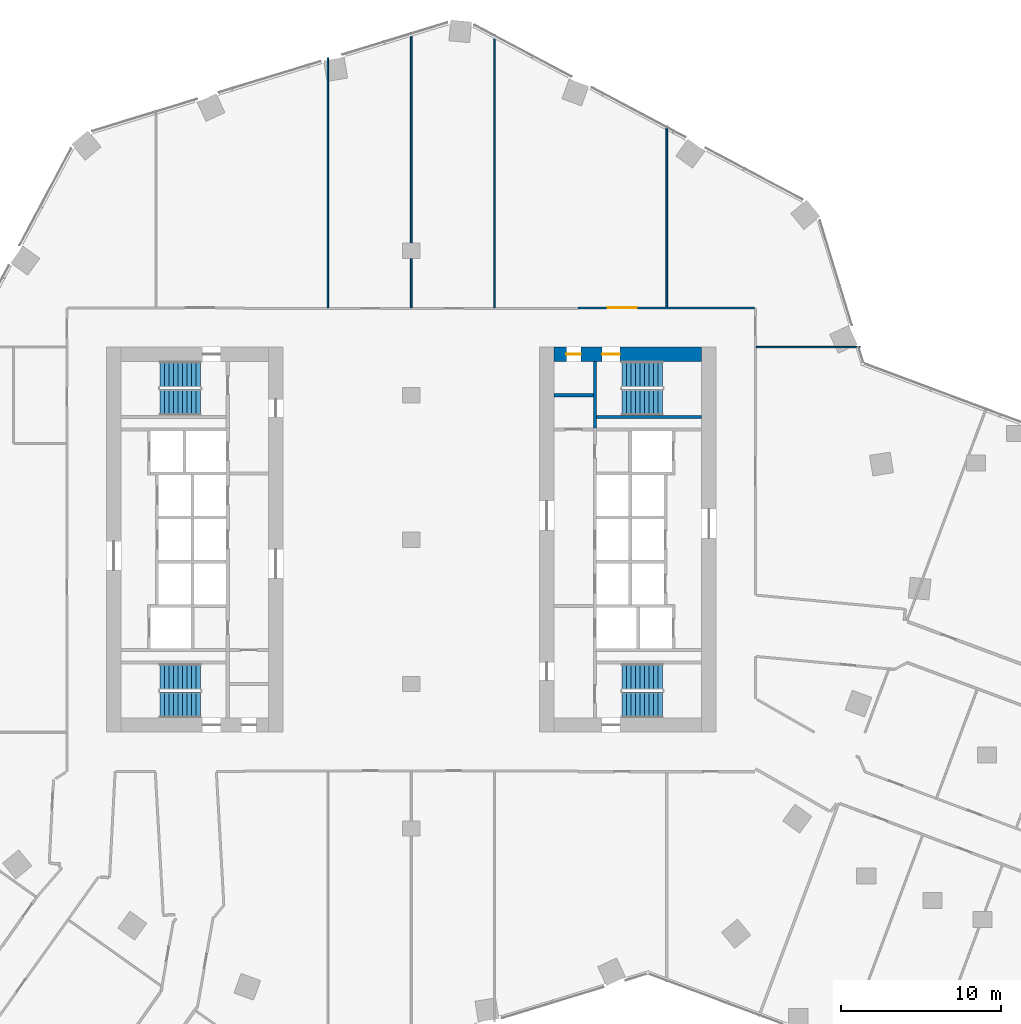
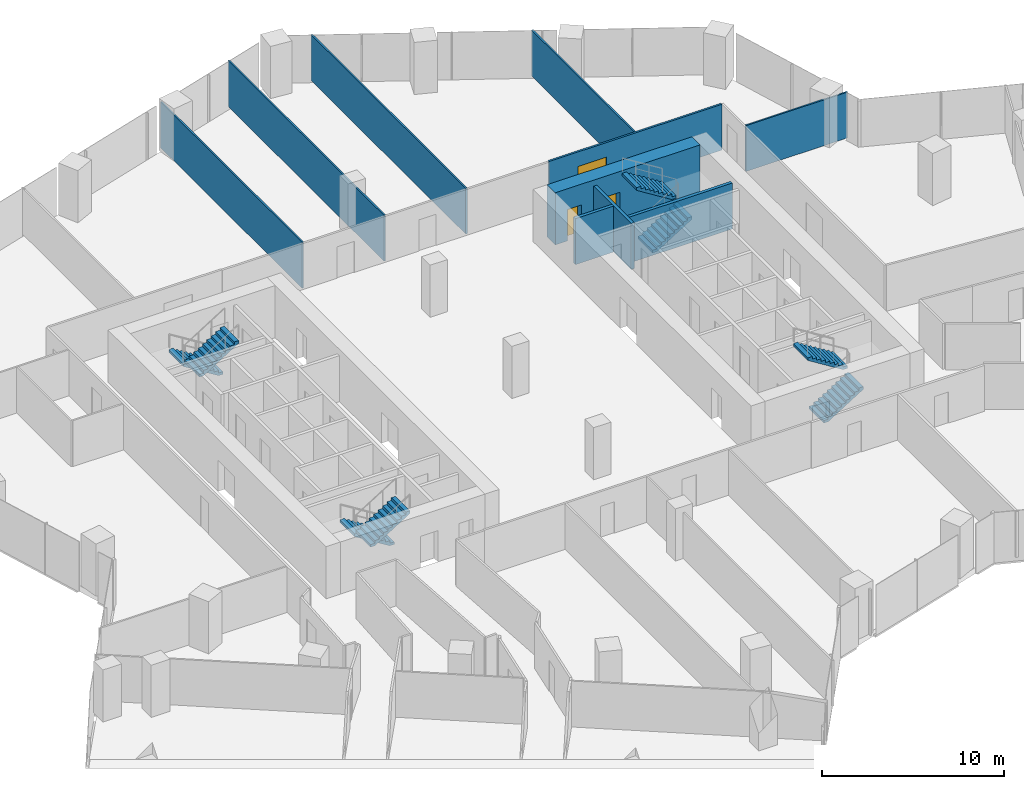
# One storey, part 28 of 31: 10 walls, 8 stair flights, 3 doors, 3 openings, 4 elements without a shape of their own.
"""IFC4 building model written with IfcOpenShell, lengths in metres."""

from ifc_helpers import new_model, si_unit, direction, frame, frame_2d, origin, place, context, subcontext, project, spatial, polyline, rectangle, outline, extrude, material, layer, layer_set, type_object, element, fill, aggregate, save


model = new_model("IFC4")

# Units and contexts
model_context = context("Model", 3, precision=1e-05, world=origin(), true_north=direction((0.0, 1.0)))
body_context = subcontext(model_context, "Body", "Model", "MODEL_VIEW")
ifc_project = project(units=[si_unit("LENGTHUNIT", "METRE"), si_unit("AREAUNIT", "SQUARE_METRE"), si_unit("VOLUMEUNIT", "CUBIC_METRE"), si_unit("PLANEANGLEUNIT", "RADIAN"), si_unit("MASSUNIT", "GRAM", prefix="KILO")], contexts=[model_context])

# Site, building, storey
site_placement = place(None, origin())
site = spatial("IfcSite", under=ifc_project, at=site_placement, CompositionType="ELEMENT")
building_placement = place(site_placement, origin())
building = spatial("IfcBuilding", under=site, at=building_placement, Name="Orlundy Tower", CompositionType="ELEMENT")
storey_placement = place(building_placement, frame((0.0, 0.0, 87.699951171875)))
storey = spatial("IfcBuildingStorey", under=building, at=storey_placement, Name="L21", CompositionType="ELEMENT", Elevation=87.699951171875)

# Wall, openings, doors
ifc_material_1 = material(Name="Concrete C80/95", Category="concrete")
ifc_layer_1 = layer(ifc_material_1, 0.89990234375)
ifc_layer_set_1 = layer_set([ifc_layer_1], Name="CORE WALL 900 C80/95")
wall_type_1 = type_object("IfcWallType", Name="CORE WALL 900 C80/95", PredefinedType="SHEAR", material=ifc_layer_set_1)
wall_1_placement = place(storey_placement, frame((8.89990234375, 11.550048828125, 0.0), z_axis=(0.0, 0.0, 1.0), x_axis=(1.0, 0.0, 0.0)))
wall_1 = element("IfcWall", 1, at=wall_1_placement, inside=storey, type_object=wall_type_1, Name="Core wall E-N L21", PredefinedType="SHEAR", context=body_context, shape_type="SweptSolid", body=[
    extrude(rectangle(XDim=9.2001953125, YDim=0.89990234375, at=frame_2d((4.60009765625, 0.0))), origin(), (0.0, 0.0, 1.0), 3.5),
])
opening_1_placement = place(wall_1_placement, frame((3.0, 0.0, 0.0)))
opening_1 = element("IfcOpeningElement", 2, at=opening_1_placement, cuts=wall_1, Name="Opening 17062", PredefinedType="OPENING", context=body_context, shape_type="SweptSolid", body=[
    extrude(rectangle(XDim=1.10009765625, YDim=2.10009765625, at=frame_2d((0.550048828125, 1.050048828125))), frame((0.0, 0.4599609375, 0.0), z_axis=(0.0, -1.0, 0.0), x_axis=(1.0, 0.0, 0.0)), (0.0, 0.0, 1.0), 0.919921875),
])
opening_2_placement = place(wall_1_placement, frame((0.77001953125, 0.0, 0.0)))
opening_2 = element("IfcOpeningElement", 3, at=opening_2_placement, cuts=wall_1, Name="Opening 17064", PredefinedType="OPENING", context=body_context, shape_type="SweptSolid", body=[
    extrude(rectangle(XDim=0.89990234375, YDim=2.10009765625, at=frame_2d((0.449951171875, 1.050048828125))), frame((0.0, 0.4599609375, 0.0), z_axis=(0.0, -1.0, 0.0), x_axis=(1.0, 0.0, 0.0)), (0.0, 0.0, 1.0), 0.919921875),
])
ifc_material_2 = material(Name="Timber door set", Category="wood")
door_type_1 = type_object("IfcDoorType", Name="Room Door 900x2100", OperationType="SINGLE_SWING_LEFT", PredefinedType="DOOR", material=ifc_material_2)
door_1_placement = place(opening_2_placement, origin())
door_1 = element("IfcDoor", 4, at=door_1_placement, inside=storey, type_object=door_type_1, Name="Store door 17064", OperationType="SINGLE_SWING_LEFT", OverallHeight=2.10009765625, OverallWidth=0.89990234375, PredefinedType="DOOR", context=body_context, shape_type="SweptSolid", body=[
    extrude(rectangle(XDim=0.89990234375, YDim=2.10009765625, at=frame_2d((0.449951171875, 1.050048828125))), frame((0.0, 0.02490234375, 0.0), z_axis=(0.0, -1.0, 0.0), x_axis=(1.0, 0.0, 0.0)), (0.0, 0.0, 1.0), 0.050048828125),
])
fill(opening_2, door_1)
ifc_material_3 = material(Name="Steel door set", Category="steel")
door_type_2 = type_object("IfcDoorType", Name="Stair Door 1100x2100", OperationType="SINGLE_SWING_LEFT", PredefinedType="DOOR", material=ifc_material_3)
door_2_placement = place(opening_1_placement, origin())
door_2 = element("IfcDoor", 5, at=door_2_placement, inside=storey, type_object=door_type_2, Name="Stair door 17062", OperationType="SINGLE_SWING_LEFT", OverallHeight=2.10009765625, OverallWidth=1.10009765625, PredefinedType="DOOR", context=body_context, shape_type="SweptSolid", body=[
    extrude(rectangle(XDim=1.10009765625, YDim=2.10009765625, at=frame_2d((0.550048828125, 1.050048828125))), frame((0.0, 0.02490234375, 0.0), z_axis=(0.0, -1.0, 0.0), x_axis=(1.0, 0.0, 0.0)), (0.0, 0.0, 1.0), 0.050048828125),
])
fill(opening_1, door_2)

# Walls
ifc_material_4 = material(Name="Gypsum board partition")
ifc_layer_2 = layer(ifc_material_4, 0.10009765625)
ifc_layer_set_2 = layer_set([ifc_layer_2], Name="Floor partition 100")
wall_type_2 = type_object("IfcWallType", Name="Floor partition 100", PredefinedType="PARTITIONING", material=ifc_layer_set_2)
wall_2_placement = place(storey_placement, frame((21.511962890625, 12.0, 0.0), z_axis=(0.0, 0.0, 1.0), x_axis=(1.0, 0.0, 0.0)))
element("IfcWall", 6, at=wall_2_placement, inside=storey, type_object=wall_type_2, Name="wall-int-L21-038", PredefinedType="PARTITIONING", context=body_context, shape_type="SweptSolid", body=[
    extrude(rectangle(XDim=6.450927734375, YDim=0.10009765625, at=frame_2d((3.2255859375, 0.0))), origin(), (0.0, 0.0, 1.0), 3.080078125),
])
wall_3_placement = place(storey_placement, frame((15.9208984375, 14.513916015625, 0.0), z_axis=(0.0, 0.0, 1.0), x_axis=(0.0, 1.0, 0.0)))
element("IfcWall", 7, at=wall_3_placement, inside=storey, type_object=wall_type_2, Name="wall-int-L21-080", PredefinedType="PARTITIONING", context=body_context, shape_type="SweptSolid", body=[
    extrude(rectangle(XDim=11.281005859375, YDim=0.10009765625, at=frame_2d((5.640625, 0.0))), origin(), (0.0, 0.0, 1.0), 3.080078125),
])
wall_4_placement = place(storey_placement, frame((5.196044921875, 14.462890625, 0.0), z_axis=(0.0, 0.0, 1.0), x_axis=(0.0, 1.0, 0.0)))
element("IfcWall", 8, at=wall_4_placement, inside=storey, type_object=wall_type_2, Name="wall-int-L21-082", PredefinedType="PARTITIONING", context=body_context, shape_type="SweptSolid", body=[
    extrude(rectangle(XDim=17.0341796875, YDim=0.10009765625, at=frame_2d((8.51708984375, 0.0))), origin(), (0.0, 0.0, 1.0), 3.080078125),
])
wall_5_placement = place(storey_placement, frame((0.0, 14.462890625, 0.0), z_axis=(0.0, 0.0, 1.0), x_axis=(0.0, 1.0, 0.0)))
element("IfcWall", 9, at=wall_5_placement, inside=storey, type_object=wall_type_2, Name="wall-int-L21-084", PredefinedType="PARTITIONING", context=body_context, shape_type="SweptSolid", body=[
    extrude(rectangle(XDim=17.169189453125, YDim=0.10009765625, at=frame_2d((8.58447265625, 0.0))), origin(), (0.0, 0.0, 1.0), 3.080078125),
])
wall_6_placement = place(storey_placement, frame((-5.195068359375, 14.462890625, 0.0), z_axis=(0.0, 0.0, 1.0), x_axis=(0.0, 1.0, 0.0)))
element("IfcWall", 10, at=wall_6_placement, inside=storey, type_object=wall_type_2, Name="wall-int-L21-086", PredefinedType="PARTITIONING", context=body_context, shape_type="SweptSolid", body=[
    extrude(rectangle(XDim=15.5810546875, YDim=0.10009765625, at=frame_2d((7.79052734375, 0.0))), origin(), (0.0, 0.0, 1.0), 3.080078125),
])

# Wall, opening, door
ifc_material_5 = material(Name="Gypsum board partition, double layer")
ifc_layer_3 = layer(ifc_material_5, 0.125)
ifc_layer_set_3 = layer_set([ifc_layer_3], Name="Floor partition 125")
wall_type_3 = type_object("IfcWallType", Name="Floor partition 125", PredefinedType="PARTITIONING", material=ifc_layer_set_3)
wall_7_placement = place(storey_placement, frame((10.39111328125, 14.450927734375, 0.0), z_axis=(0.0, 0.0, 1.0), x_axis=(1.0, 0.0, 0.0)))
wall_7 = element("IfcWall", 11, at=wall_7_placement, inside=storey, type_object=wall_type_3, Name="wall-int-L21-041", PredefinedType="PARTITIONING", context=body_context, shape_type="SweptSolid", body=[
    extrude(rectangle(XDim=10.995849609375, YDim=0.125, at=frame_2d((5.498046875, 0.0))), origin(), (0.0, 0.0, 1.0), 3.080078125),
])
opening_3_placement = place(wall_7_placement, frame((1.85009765625, 0.0, 0.0)))
opening_3 = element("IfcOpeningElement", 12, at=opening_3_placement, cuts=wall_7, Name="Opening 17133", PredefinedType="OPENING", context=body_context, shape_type="SweptSolid", body=[
    extrude(rectangle(XDim=1.800048828125, YDim=2.10009765625, at=frame_2d((0.89990234375, 1.050048828125))), frame((0.0, 0.072509765625, 0.0), z_axis=(0.0, -1.0, 0.0), x_axis=(1.0, 0.0, 0.0)), (0.0, 0.0, 1.0), 0.14501953125),
])
ifc_material_6 = material(Name="Timber door leaf", Category="wood")
door_type_3 = type_object("IfcDoorType", Name="Floor door double 1800 FD30S", OperationType="NOTDEFINED", PredefinedType="DOOR", material=ifc_material_6)
door_3_placement = place(opening_3_placement, origin())
door_3 = element("IfcDoor", 13, at=door_3_placement, inside=storey, type_object=door_type_3, Name="Door 17133", OperationType="DOUBLE_DOOR_SINGLE_SWING", OverallHeight=2.10009765625, OverallWidth=1.800048828125, PredefinedType="DOOR", context=body_context, shape_type="SweptSolid", body=[
    extrude(rectangle(XDim=1.800048828125, YDim=2.10009765625, at=frame_2d((0.89990234375, 1.050048828125))), frame((0.0, 0.02490234375, 0.0), z_axis=(0.0, -1.0, 0.0), x_axis=(1.0, 0.0, 0.0)), (0.0, 0.0, 1.0), 0.050048828125),
])
fill(opening_3, door_3)

# Walls
ifc_material_7 = material(Name="Concrete C40/50", Category="concrete")
ifc_layer_4 = layer(ifc_material_7, 0.199951171875)
ifc_layer_set_4 = layer_set([ifc_layer_4], Name="Load-bearing Shaft Wall 200")
wall_type_4 = type_object("IfcWallType", Name="Load-bearing Shaft Wall 200", PredefinedType="SOLIDWALL", material=ifc_layer_set_4)
wall_8_placement = place(storey_placement, frame((11.43994140625, 11.10009765625, 0.0), z_axis=(0.0, 0.0, 1.0), x_axis=(0.0, -1.0, 0.0)))
element("IfcWall", 14, at=wall_8_placement, inside=storey, type_object=wall_type_4, Name="Shaft wall E17-stair-end-s", PredefinedType="SOLIDWALL", context=body_context, shape_type="SweptSolid", body=[
    extrude(rectangle(XDim=4.125, YDim=0.199951171875, at=frame_2d((2.0625, 0.0))), origin(), (0.0, 0.0, 1.0), 3.090087890625),
])
wall_9_placement = place(storey_placement, frame((11.5400390625, 7.64990234375, 0.0), z_axis=(0.0, 0.0, 1.0), x_axis=(1.0, 0.0, 0.0)))
element("IfcWall", 15, at=wall_9_placement, inside=storey, type_object=wall_type_4, Name="Shaft wall E17-stair-side-s", PredefinedType="SOLIDWALL", context=body_context, shape_type="SweptSolid", body=[
    extrude(rectangle(XDim=6.56005859375, YDim=0.199951171875, at=frame_2d((3.280029296875, 0.0))), origin(), (0.0, 0.0, 1.0), 3.090087890625),
])
ifc_material_8 = material(Name="Gypsum board partition on steel studs", Category="steel")
ifc_layer_5 = layer(ifc_material_8, 0.199951171875)
ifc_layer_set_5 = layer_set([ifc_layer_5], Name="Partition 200")
wall_type_5 = type_object("IfcWallType", Name="Partition 200", PredefinedType="PARTITIONING", material=ifc_layer_set_5)
wall_10_placement = place(storey_placement, frame((8.89990234375, 9.0, 0.0), z_axis=(0.0, 0.0, 1.0), x_axis=(1.0, 0.0, 0.0)))
element("IfcWall", 16, at=wall_10_placement, inside=storey, type_object=wall_type_5, Name="Partition wall E17-room-s0", PredefinedType="PARTITIONING", context=body_context, shape_type="SweptSolid", body=[
    extrude(rectangle(XDim=2.440185546875, YDim=0.199951171875, at=frame_2d((1.22021484375, 0.0))), origin(), (0.0, 0.0, 1.0), 3.090087890625),
])

# Stair, stair flights
ifc_material_9 = material(Name="Concrete C50/60", Category="concrete")
stair_type = type_object("IfcStairType", Name="Exit Stair 20 risers", PredefinedType="HALF_TURN_STAIR", material=ifc_material_9)
stair_1_placement = place(storey_placement, origin())
stair_1 = element("IfcStair", 17, at=stair_1_placement, inside=storey, type_object=stair_type, Name="L21 Exit Stair ST-W1", PredefinedType="HALF_TURN_STAIR")
ifc_material_10 = material(Name="Concrete C50/60", Category="concrete")
stair_flight_type = type_object("IfcStairFlightType", Name="Stair Flight 10 risers", PredefinedType="STRAIGHT", material=ifc_material_10)
stair_flight_1_placement = place(storey_placement, frame((-13.139892578125, 10.300048828125, 0.0), z_axis=(0.0, 0.0, 1.0), x_axis=(-1.0, 0.0, 0.0)))
stair_flight_1 = element("IfcStairFlight", 18, at=stair_flight_1_placement, type_object=stair_flight_type, Name="ST-W1 flight 1", NumberOfRisers=10, NumberOfTreads=9, PredefinedType="STRAIGHT", RiserHeight=0.175, TreadLength=0.28, context=body_context, shape_type="SweptSolid", body=[
    extrude(outline(polyline([(0.0, 0.0), (0.0, 0.175048828125), (0.280029296875, 0.175048828125), (0.280029296875, 0.35009765625), (0.56005859375, 0.35009765625), (0.56005859375, 0.52490234375), (0.840087890625, 0.52490234375), (0.840087890625, 0.699951171875), (1.1201171875, 0.699951171875), (1.1201171875, 0.875), (1.39990234375, 0.875), (1.39990234375, 1.050048828125), (1.679931640625, 1.050048828125), (1.679931640625, 1.22509765625), (1.9599609375, 1.22509765625), (1.9599609375, 1.39990234375), (2.239990234375, 1.39990234375), (2.239990234375, 1.574951171875), (2.52001953125, 1.574951171875), (2.52001953125, 1.75), (2.52001953125, 1.398193359375), (0.28271484375, 0.0), (0.0, 0.0)])), frame((0.0, 0.800048828125, 0.0), z_axis=(0.0, -1.0, 0.0), x_axis=(1.0, 0.0, 0.0)), (0.0, 0.0, 1.0), 1.60009765625),
])
stair_flight_2_placement = place(storey_placement, frame((-15.659912109375, 8.550048828125, 1.75), z_axis=(0.0, 0.0, 1.0), x_axis=(1.0, 0.0, 0.0)))
stair_flight_2 = element("IfcStairFlight", 19, at=stair_flight_2_placement, type_object=stair_flight_type, Name="ST-W1 flight 2", NumberOfRisers=10, NumberOfTreads=9, PredefinedType="STRAIGHT", RiserHeight=0.175, TreadLength=0.28, context=body_context, shape_type="SweptSolid", body=[
    extrude(outline(polyline([(0.0, 0.0), (0.0, 0.175048828125), (0.280029296875, 0.175048828125), (0.280029296875, 0.35009765625), (0.56005859375, 0.35009765625), (0.56005859375, 0.52490234375), (0.840087890625, 0.52490234375), (0.840087890625, 0.699951171875), (1.1201171875, 0.699951171875), (1.1201171875, 0.875), (1.39990234375, 0.875), (1.39990234375, 1.050048828125), (1.679931640625, 1.050048828125), (1.679931640625, 1.22509765625), (1.9599609375, 1.22509765625), (1.9599609375, 1.39990234375), (2.239990234375, 1.39990234375), (2.239990234375, 1.574951171875), (2.52001953125, 1.574951171875), (2.52001953125, 1.75), (2.52001953125, 1.398193359375), (0.28271484375, 0.0), (0.0, 0.0)])), frame((0.0, 0.800048828125, 0.0), z_axis=(0.0, -1.0, 0.0), x_axis=(1.0, 0.0, 0.0)), (0.0, 0.0, 1.0), 1.60009765625),
])
aggregate(stair_1, [stair_flight_1, stair_flight_2])

stair_2_placement = place(storey_placement, origin())
stair_2 = element("IfcStair", 20, at=stair_2_placement, inside=storey, type_object=stair_type, Name="L21 Exit Stair ST-W2", PredefinedType="HALF_TURN_STAIR")
stair_flight_3_placement = place(storey_placement, frame((-13.139892578125, -8.550048828125, 0.0), z_axis=(0.0, 0.0, 1.0), x_axis=(-1.0, 0.0, 0.0)))
stair_flight_3 = element("IfcStairFlight", 21, at=stair_flight_3_placement, type_object=stair_flight_type, Name="ST-W2 flight 1", NumberOfRisers=10, NumberOfTreads=9, PredefinedType="STRAIGHT", RiserHeight=0.175, TreadLength=0.28, context=body_context, shape_type="SweptSolid", body=[
    extrude(outline(polyline([(0.0, 0.0), (0.0, 0.175048828125), (0.280029296875, 0.175048828125), (0.280029296875, 0.35009765625), (0.56005859375, 0.35009765625), (0.56005859375, 0.52490234375), (0.840087890625, 0.52490234375), (0.840087890625, 0.699951171875), (1.1201171875, 0.699951171875), (1.1201171875, 0.875), (1.39990234375, 0.875), (1.39990234375, 1.050048828125), (1.679931640625, 1.050048828125), (1.679931640625, 1.22509765625), (1.9599609375, 1.22509765625), (1.9599609375, 1.39990234375), (2.239990234375, 1.39990234375), (2.239990234375, 1.574951171875), (2.52001953125, 1.574951171875), (2.52001953125, 1.75), (2.52001953125, 1.398193359375), (0.28271484375, 0.0), (0.0, 0.0)])), frame((0.0, 0.800048828125, 0.0), z_axis=(0.0, -1.0, 0.0), x_axis=(1.0, 0.0, 0.0)), (0.0, 0.0, 1.0), 1.60009765625),
])
stair_flight_4_placement = place(storey_placement, frame((-15.659912109375, -10.300048828125, 1.75), z_axis=(0.0, 0.0, 1.0), x_axis=(1.0, 0.0, 0.0)))
stair_flight_4 = element("IfcStairFlight", 22, at=stair_flight_4_placement, type_object=stair_flight_type, Name="ST-W2 flight 2", NumberOfRisers=10, NumberOfTreads=9, PredefinedType="STRAIGHT", RiserHeight=0.175, TreadLength=0.28, context=body_context, shape_type="SweptSolid", body=[
    extrude(outline(polyline([(0.0, 0.0), (0.0, 0.175048828125), (0.280029296875, 0.175048828125), (0.280029296875, 0.35009765625), (0.56005859375, 0.35009765625), (0.56005859375, 0.52490234375), (0.840087890625, 0.52490234375), (0.840087890625, 0.699951171875), (1.1201171875, 0.699951171875), (1.1201171875, 0.875), (1.39990234375, 0.875), (1.39990234375, 1.050048828125), (1.679931640625, 1.050048828125), (1.679931640625, 1.22509765625), (1.9599609375, 1.22509765625), (1.9599609375, 1.39990234375), (2.239990234375, 1.39990234375), (2.239990234375, 1.574951171875), (2.52001953125, 1.574951171875), (2.52001953125, 1.75), (2.52001953125, 1.398193359375), (0.28271484375, 0.0), (0.0, 0.0)])), frame((0.0, 0.800048828125, 0.0), z_axis=(0.0, -1.0, 0.0), x_axis=(1.0, 0.0, 0.0)), (0.0, 0.0, 1.0), 1.60009765625),
])
aggregate(stair_2, [stair_flight_3, stair_flight_4])

stair_3_placement = place(storey_placement, origin())
stair_3 = element("IfcStair", 23, at=stair_3_placement, inside=storey, type_object=stair_type, Name="L21 Exit Stair ST-E1", PredefinedType="HALF_TURN_STAIR")
stair_flight_5_placement = place(storey_placement, frame((13.139892578125, -10.300048828125, 0.0), z_axis=(0.0, 0.0, 1.0), x_axis=(1.0, 0.0, 0.0)))
stair_flight_5 = element("IfcStairFlight", 24, at=stair_flight_5_placement, type_object=stair_flight_type, Name="ST-E1 flight 1", NumberOfRisers=10, NumberOfTreads=9, PredefinedType="STRAIGHT", RiserHeight=0.175, TreadLength=0.28, context=body_context, shape_type="SweptSolid", body=[
    extrude(outline(polyline([(0.0, 0.0), (0.0, 0.175048828125), (0.280029296875, 0.175048828125), (0.280029296875, 0.35009765625), (0.56005859375, 0.35009765625), (0.56005859375, 0.52490234375), (0.840087890625, 0.52490234375), (0.840087890625, 0.699951171875), (1.1201171875, 0.699951171875), (1.1201171875, 0.875), (1.39990234375, 0.875), (1.39990234375, 1.050048828125), (1.679931640625, 1.050048828125), (1.679931640625, 1.22509765625), (1.9599609375, 1.22509765625), (1.9599609375, 1.39990234375), (2.239990234375, 1.39990234375), (2.239990234375, 1.574951171875), (2.52001953125, 1.574951171875), (2.52001953125, 1.75), (2.52001953125, 1.398193359375), (0.28271484375, 0.0), (0.0, 0.0)])), frame((0.0, 0.800048828125, 0.0), z_axis=(0.0, -1.0, 0.0), x_axis=(1.0, 0.0, 0.0)), (0.0, 0.0, 1.0), 1.60009765625),
])
stair_flight_6_placement = place(storey_placement, frame((15.659912109375, -8.550048828125, 1.75), z_axis=(0.0, 0.0, 1.0), x_axis=(-1.0, 0.0, 0.0)))
stair_flight_6 = element("IfcStairFlight", 25, at=stair_flight_6_placement, type_object=stair_flight_type, Name="ST-E1 flight 2", NumberOfRisers=10, NumberOfTreads=9, PredefinedType="STRAIGHT", RiserHeight=0.175, TreadLength=0.28, context=body_context, shape_type="SweptSolid", body=[
    extrude(outline(polyline([(0.0, 0.0), (0.0, 0.175048828125), (0.280029296875, 0.175048828125), (0.280029296875, 0.35009765625), (0.56005859375, 0.35009765625), (0.56005859375, 0.52490234375), (0.840087890625, 0.52490234375), (0.840087890625, 0.699951171875), (1.1201171875, 0.699951171875), (1.1201171875, 0.875), (1.39990234375, 0.875), (1.39990234375, 1.050048828125), (1.679931640625, 1.050048828125), (1.679931640625, 1.22509765625), (1.9599609375, 1.22509765625), (1.9599609375, 1.39990234375), (2.239990234375, 1.39990234375), (2.239990234375, 1.574951171875), (2.52001953125, 1.574951171875), (2.52001953125, 1.75), (2.52001953125, 1.398193359375), (0.28271484375, 0.0), (0.0, 0.0)])), frame((0.0, 0.800048828125, 0.0), z_axis=(0.0, -1.0, 0.0), x_axis=(1.0, 0.0, 0.0)), (0.0, 0.0, 1.0), 1.60009765625),
])
aggregate(stair_3, [stair_flight_5, stair_flight_6])

stair_4_placement = place(storey_placement, origin())
stair_4 = element("IfcStair", 26, at=stair_4_placement, inside=storey, type_object=stair_type, Name="L21 Exit Stair ST-E2", PredefinedType="HALF_TURN_STAIR")
stair_flight_7_placement = place(storey_placement, frame((13.139892578125, 8.550048828125, 0.0), z_axis=(0.0, 0.0, 1.0), x_axis=(1.0, 0.0, 0.0)))
stair_flight_7 = element("IfcStairFlight", 27, at=stair_flight_7_placement, type_object=stair_flight_type, Name="ST-E2 flight 1", NumberOfRisers=10, NumberOfTreads=9, PredefinedType="STRAIGHT", RiserHeight=0.175, TreadLength=0.28, context=body_context, shape_type="SweptSolid", body=[
    extrude(outline(polyline([(0.0, 0.0), (0.0, 0.175048828125), (0.280029296875, 0.175048828125), (0.280029296875, 0.35009765625), (0.56005859375, 0.35009765625), (0.56005859375, 0.52490234375), (0.840087890625, 0.52490234375), (0.840087890625, 0.699951171875), (1.1201171875, 0.699951171875), (1.1201171875, 0.875), (1.39990234375, 0.875), (1.39990234375, 1.050048828125), (1.679931640625, 1.050048828125), (1.679931640625, 1.22509765625), (1.9599609375, 1.22509765625), (1.9599609375, 1.39990234375), (2.239990234375, 1.39990234375), (2.239990234375, 1.574951171875), (2.52001953125, 1.574951171875), (2.52001953125, 1.75), (2.52001953125, 1.398193359375), (0.28271484375, 0.0), (0.0, 0.0)])), frame((0.0, 0.800048828125, 0.0), z_axis=(0.0, -1.0, 0.0), x_axis=(1.0, 0.0, 0.0)), (0.0, 0.0, 1.0), 1.60009765625),
])
stair_flight_8_placement = place(storey_placement, frame((15.659912109375, 10.300048828125, 1.75), z_axis=(0.0, 0.0, 1.0), x_axis=(-1.0, 0.0, 0.0)))
stair_flight_8 = element("IfcStairFlight", 28, at=stair_flight_8_placement, type_object=stair_flight_type, Name="ST-E2 flight 2", NumberOfRisers=10, NumberOfTreads=9, PredefinedType="STRAIGHT", RiserHeight=0.175, TreadLength=0.28, context=body_context, shape_type="SweptSolid", body=[
    extrude(outline(polyline([(0.0, 0.0), (0.0, 0.175048828125), (0.280029296875, 0.175048828125), (0.280029296875, 0.35009765625), (0.56005859375, 0.35009765625), (0.56005859375, 0.52490234375), (0.840087890625, 0.52490234375), (0.840087890625, 0.699951171875), (1.1201171875, 0.699951171875), (1.1201171875, 0.875), (1.39990234375, 0.875), (1.39990234375, 1.050048828125), (1.679931640625, 1.050048828125), (1.679931640625, 1.22509765625), (1.9599609375, 1.22509765625), (1.9599609375, 1.39990234375), (2.239990234375, 1.39990234375), (2.239990234375, 1.574951171875), (2.52001953125, 1.574951171875), (2.52001953125, 1.75), (2.52001953125, 1.398193359375), (0.28271484375, 0.0), (0.0, 0.0)])), frame((0.0, 0.800048828125, 0.0), z_axis=(0.0, -1.0, 0.0), x_axis=(1.0, 0.0, 0.0)), (0.0, 0.0, 1.0), 1.60009765625),
])
aggregate(stair_4, [stair_flight_7, stair_flight_8])

save(model, "model.ifc")
